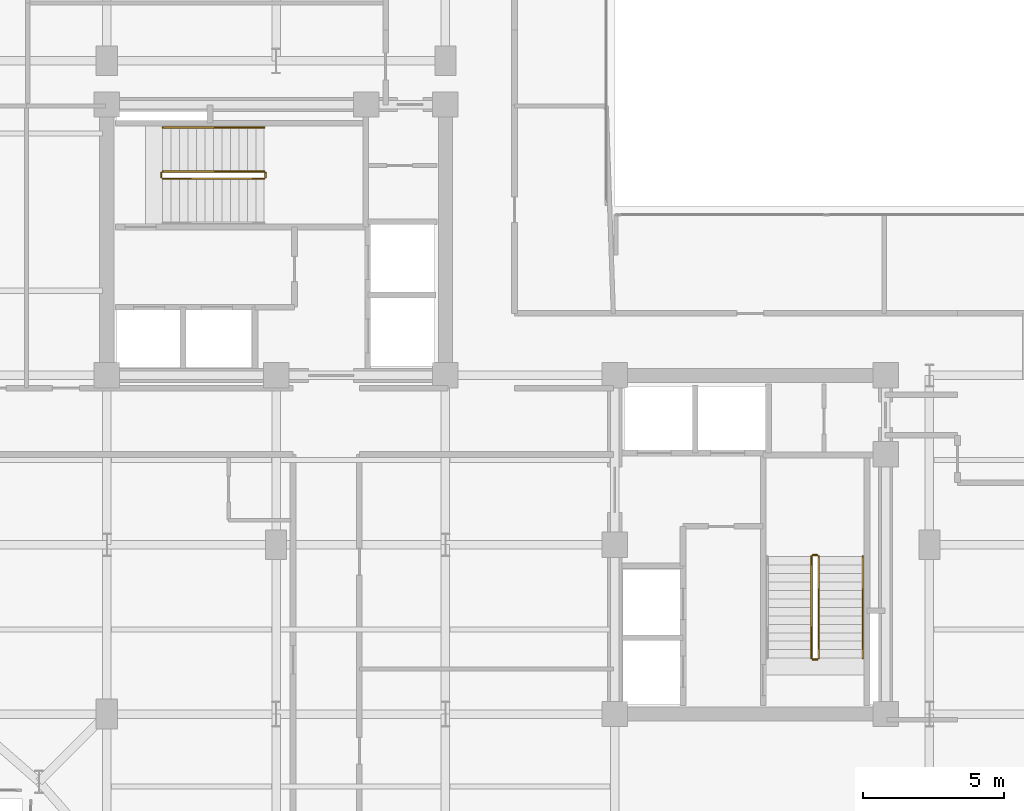
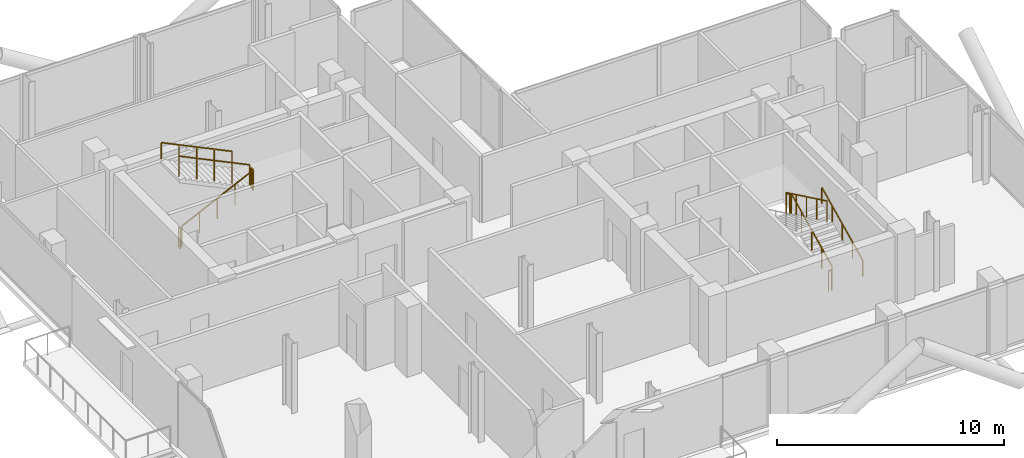
# One storey, part 21 of 21: 10 railings.
"""IFC4 building model written with IfcOpenShell, lengths in metres."""

from ifc_helpers import new_model, si_unit, direction, frame, origin, origin_2d, place, context, subcontext, project, spatial, rectangle, extrude, material, type_object, element, save


model = new_model("IFC4")

# Units and contexts
model_context = context("Model", 3, precision=1e-05, world=origin(), true_north=direction((0.0, 1.0)))
body_context = subcontext(model_context, "Body", "Model", "MODEL_VIEW")
ifc_project = project(units=[si_unit("LENGTHUNIT", "METRE"), si_unit("AREAUNIT", "SQUARE_METRE"), si_unit("VOLUMEUNIT", "CUBIC_METRE"), si_unit("PLANEANGLEUNIT", "RADIAN"), si_unit("MASSUNIT", "GRAM", prefix="KILO"), si_unit("THERMODYNAMICTEMPERATUREUNIT", "KELVIN"), si_unit("POWERUNIT", "WATT")], contexts=[model_context])

# Site, building, storey
site_placement = place(None, origin())
site = spatial("IfcSite", under=ifc_project, at=site_placement, CompositionType="ELEMENT")
building_placement = place(site_placement, origin())
building = spatial("IfcBuilding", under=site, at=building_placement, Name="Svarakhadi Broadcast Tower", CompositionType="ELEMENT")
storey_placement = place(building_placement, frame((0.0, 0.0, 223.64990234375)))
storey = spatial("IfcBuildingStorey", under=building, at=storey_placement, Name="L55", CompositionType="ELEMENT", Elevation=223.64990234375)

# Railings
ifc_material = material(Name="Anodised Bronze Aluminium AA 6063-T6", Category="aluminium")
railing_type_1 = type_object("IfcRailingType", Name="Guard_Stair_GR01", PredefinedType="GUARDRAIL", material=ifc_material)
railing_1_placement = place(storey_placement, frame((7.97998046875, 24.969970703125, 0.144287109375)))
element("IfcRailing", 1, at=railing_1_placement, inside=storey, type_object=railing_type_1, Name="L55 ST-01 stair guard 1", PredefinedType="GUARDRAIL", context=body_context, shape_type="SweptSolid", body=[
    extrude(rectangle(XDim=0.048095703125, YDim=0.048095703125, at=origin_2d()), frame((0.0, 0.0, 1.09619140625), z_axis=(0.901262522062, 0.0, 0.433273431364), x_axis=(0.0, 1.0, 0.0)), (0.0, 0.0, 1.0), 3.994384765625),
    extrude(rectangle(XDim=0.0419921875, YDim=0.0419921875, at=origin_2d()), origin(), (0.0, 0.0, 1.0), 1.072021484375),
    extrude(rectangle(XDim=0.0419921875, YDim=0.0419921875, at=origin_2d()), frame((0.89990234375, 0.0, 0.4326171875)), (0.0, 0.0, 1.0), 1.072021484375),
    extrude(rectangle(XDim=0.0419921875, YDim=0.0419921875, at=origin_2d()), frame((1.800048828125, 0.0, 0.865234375)), (0.0, 0.0, 1.0), 1.072021484375),
    extrude(rectangle(XDim=0.0419921875, YDim=0.0419921875, at=origin_2d()), frame((2.7001953125, 0.0, 1.298095703125)), (0.0, 0.0, 1.0), 1.072021484375),
    extrude(rectangle(XDim=0.0419921875, YDim=0.0419921875, at=origin_2d()), frame((3.60009765625, 0.0, 1.730712890625)), (0.0, 0.0, 1.0), 1.072021484375),
])
railing_2_placement = place(storey_placement, frame((11.6298828125, 25.02001953125, 1.875)))
element("IfcRailing", 2, at=railing_2_placement, inside=storey, type_object=railing_type_1, Name="L55 ST-01 stair guard 2", PredefinedType="GUARDRAIL", context=body_context, shape_type="SweptSolid", body=[
    extrude(rectangle(XDim=0.048095703125, YDim=0.048095703125, at=origin_2d()), frame((0.0, 0.0, 1.09619140625), z_axis=(0.0, 1.0, 0.0), x_axis=(-1.0, 0.0, 0.0)), (0.0, 0.0, 1.0), 0.159912109375),
    extrude(rectangle(XDim=0.0419921875, YDim=0.0419921875, at=origin_2d()), origin(), (0.0, 0.0, 1.0), 1.072021484375),
    extrude(rectangle(XDim=0.0419921875, YDim=0.0419921875, at=origin_2d()), frame((0.0, 0.159912109375, 0.0)), (0.0, 0.0, 1.0), 1.072021484375),
])
railing_3_placement = place(storey_placement, frame((11.580078125, 25.22998046875, 2.019287109375)))
element("IfcRailing", 3, at=railing_3_placement, inside=storey, type_object=railing_type_1, Name="L55 ST-01 stair guard 3", PredefinedType="GUARDRAIL", context=body_context, shape_type="SweptSolid", body=[
    extrude(rectangle(XDim=0.048095703125, YDim=0.048095703125, at=origin_2d()), frame((0.0, 0.0, 1.09619140625), z_axis=(-0.901262522062, 0.0, 0.433273431364), x_axis=(0.0, -1.0, 0.0)), (0.0, 0.0, 1.0), 3.994384765625),
    extrude(rectangle(XDim=0.0419921875, YDim=0.0419921875, at=origin_2d()), origin(), (0.0, 0.0, 1.0), 1.072021484375),
    extrude(rectangle(XDim=0.0419921875, YDim=0.0419921875, at=origin_2d()), frame((-0.89990234375, 0.0, 0.4326171875)), (0.0, 0.0, 1.0), 1.072021484375),
    extrude(rectangle(XDim=0.0419921875, YDim=0.0419921875, at=origin_2d()), frame((-1.800048828125, 0.0, 0.865234375)), (0.0, 0.0, 1.0), 1.072021484375),
    extrude(rectangle(XDim=0.0419921875, YDim=0.0419921875, at=origin_2d()), frame((-2.7001953125, 0.0, 1.298095703125)), (0.0, 0.0, 1.0), 1.072021484375),
    extrude(rectangle(XDim=0.0419921875, YDim=0.0419921875, at=origin_2d()), frame((-3.60009765625, 0.0, 1.730712890625)), (0.0, 0.0, 1.0), 1.072021484375),
])
railing_4_placement = place(storey_placement, frame((7.929931640625, 25.02001953125, 0.0)))
element("IfcRailing", 4, at=railing_4_placement, inside=storey, type_object=railing_type_1, Name="L55 ST-01 stair guard 4", PredefinedType="GUARDRAIL", context=body_context, shape_type="SweptSolid", body=[
    extrude(rectangle(XDim=0.048095703125, YDim=0.048095703125, at=origin_2d()), frame((0.0, 0.0, 1.09619140625), z_axis=(0.0, 1.0, 0.0), x_axis=(-1.0, 0.0, 0.0)), (0.0, 0.0, 1.0), 0.159912109375),
    extrude(rectangle(XDim=0.0419921875, YDim=0.0419921875, at=origin_2d()), origin(), (0.0, 0.0, 1.0), 1.072021484375),
    extrude(rectangle(XDim=0.0419921875, YDim=0.0419921875, at=origin_2d()), frame((0.0, 0.159912109375, 0.0)), (0.0, 0.0, 1.0), 1.072021484375),
])
railing_5_placement = place(storey_placement, frame((31.22998046875, 7.97998046875, 0.144287109375)))
element("IfcRailing", 5, at=railing_5_placement, inside=storey, type_object=railing_type_1, Name="L55 ST-02 stair guard 1", PredefinedType="GUARDRAIL", context=body_context, shape_type="SweptSolid", body=[
    extrude(rectangle(XDim=0.048095703125, YDim=0.048095703125, at=origin_2d()), frame((0.0, 0.0, 1.09619140625), z_axis=(0.0, 0.901262522062, 0.433273431364), x_axis=(-1.0, 0.0, 0.0)), (0.0, 0.0, 1.0), 3.994384765625),
    extrude(rectangle(XDim=0.0419921875, YDim=0.0419921875, at=origin_2d()), origin(), (0.0, 0.0, 1.0), 1.072021484375),
    extrude(rectangle(XDim=0.0419921875, YDim=0.0419921875, at=origin_2d()), frame((0.0, 0.89990234375, 0.4326171875)), (0.0, 0.0, 1.0), 1.072021484375),
    extrude(rectangle(XDim=0.0419921875, YDim=0.0419921875, at=origin_2d()), frame((0.0, 1.800048828125, 0.865234375)), (0.0, 0.0, 1.0), 1.072021484375),
    extrude(rectangle(XDim=0.0419921875, YDim=0.0419921875, at=origin_2d()), frame((0.0, 2.7001953125, 1.298095703125)), (0.0, 0.0, 1.0), 1.072021484375),
    extrude(rectangle(XDim=0.0419921875, YDim=0.0419921875, at=origin_2d()), frame((0.0, 3.60009765625, 1.730712890625)), (0.0, 0.0, 1.0), 1.072021484375),
])
railing_6_placement = place(storey_placement, frame((31.179931640625, 11.6298828125, 1.875)))
element("IfcRailing", 6, at=railing_6_placement, inside=storey, type_object=railing_type_1, Name="L55 ST-02 stair guard 2", PredefinedType="GUARDRAIL", context=body_context, shape_type="SweptSolid", body=[
    extrude(rectangle(XDim=0.048095703125, YDim=0.048095703125, at=origin_2d()), frame((0.0, 0.0, 1.09619140625), z_axis=(-1.0, 0.0, 0.0), x_axis=(0.0, -1.0, 0.0)), (0.0, 0.0, 1.0), 0.159912109375),
    extrude(rectangle(XDim=0.0419921875, YDim=0.0419921875, at=origin_2d()), origin(), (0.0, 0.0, 1.0), 1.072021484375),
    extrude(rectangle(XDim=0.0419921875, YDim=0.0419921875, at=origin_2d()), frame((-0.159912109375, 0.0, 0.0)), (0.0, 0.0, 1.0), 1.072021484375),
])
railing_7_placement = place(storey_placement, frame((30.969970703125, 11.580078125, 2.019287109375)))
element("IfcRailing", 7, at=railing_7_placement, inside=storey, type_object=railing_type_1, Name="L55 ST-02 stair guard 3", PredefinedType="GUARDRAIL", context=body_context, shape_type="SweptSolid", body=[
    extrude(rectangle(XDim=0.048095703125, YDim=0.048095703125, at=origin_2d()), frame((0.0, 0.0, 1.09619140625), z_axis=(0.0, -0.901262522062, 0.433273431364), x_axis=(1.0, 0.0, 0.0)), (0.0, 0.0, 1.0), 3.994384765625),
    extrude(rectangle(XDim=0.0419921875, YDim=0.0419921875, at=origin_2d()), origin(), (0.0, 0.0, 1.0), 1.072021484375),
    extrude(rectangle(XDim=0.0419921875, YDim=0.0419921875, at=origin_2d()), frame((0.0, -0.89990234375, 0.4326171875)), (0.0, 0.0, 1.0), 1.072021484375),
    extrude(rectangle(XDim=0.0419921875, YDim=0.0419921875, at=origin_2d()), frame((0.0, -1.800048828125, 0.865234375)), (0.0, 0.0, 1.0), 1.072021484375),
    extrude(rectangle(XDim=0.0419921875, YDim=0.0419921875, at=origin_2d()), frame((0.0, -2.7001953125, 1.298095703125)), (0.0, 0.0, 1.0), 1.072021484375),
    extrude(rectangle(XDim=0.0419921875, YDim=0.0419921875, at=origin_2d()), frame((0.0, -3.60009765625, 1.730712890625)), (0.0, 0.0, 1.0), 1.072021484375),
])
railing_8_placement = place(storey_placement, frame((31.179931640625, 7.929931640625, 0.0)))
element("IfcRailing", 8, at=railing_8_placement, inside=storey, type_object=railing_type_1, Name="L55 ST-02 stair guard 4", PredefinedType="GUARDRAIL", context=body_context, shape_type="SweptSolid", body=[
    extrude(rectangle(XDim=0.048095703125, YDim=0.048095703125, at=origin_2d()), frame((0.0, 0.0, 1.09619140625), z_axis=(-1.0, 0.0, 0.0), x_axis=(0.0, -1.0, 0.0)), (0.0, 0.0, 1.0), 0.159912109375),
    extrude(rectangle(XDim=0.0419921875, YDim=0.0419921875, at=origin_2d()), origin(), (0.0, 0.0, 1.0), 1.072021484375),
    extrude(rectangle(XDim=0.0419921875, YDim=0.0419921875, at=origin_2d()), frame((-0.159912109375, 0.0, 0.0)), (0.0, 0.0, 1.0), 1.072021484375),
])
railing_type_2 = type_object("IfcRailingType", Name="Handrail_Stair_HR01", PredefinedType="HANDRAIL", material=ifc_material)
railing_9_placement = place(storey_placement, frame((11.580078125, 26.7900390625, 2.019287109375)))
element("IfcRailing", 9, at=railing_9_placement, inside=storey, type_object=railing_type_2, Name="L55 ST-01 stair handrail 2", PredefinedType="HANDRAIL", context=body_context, shape_type="SweptSolid", body=[
    extrude(rectangle(XDim=0.048095703125, YDim=0.048095703125, at=origin_2d()), frame((0.0, 0.0, 0.8759765625), z_axis=(-0.901262522062, 0.0, 0.433273431364), x_axis=(0.0, -1.0, 0.0)), (0.0, 0.0, 1.0), 3.994384765625),
    extrude(rectangle(XDim=0.0419921875, YDim=0.0419921875, at=origin_2d()), origin(), (0.0, 0.0, 1.0), 0.851806640625),
    extrude(rectangle(XDim=0.0419921875, YDim=0.0419921875, at=origin_2d()), frame((-0.89990234375, 0.0, 0.4326171875)), (0.0, 0.0, 1.0), 0.851806640625),
    extrude(rectangle(XDim=0.0419921875, YDim=0.0419921875, at=origin_2d()), frame((-1.800048828125, 0.0, 0.865234375)), (0.0, 0.0, 1.0), 0.851806640625),
    extrude(rectangle(XDim=0.0419921875, YDim=0.0419921875, at=origin_2d()), frame((-2.7001953125, 0.0, 1.298095703125)), (0.0, 0.0, 1.0), 0.851806640625),
    extrude(rectangle(XDim=0.0419921875, YDim=0.0419921875, at=origin_2d()), frame((-3.60009765625, 0.0, 1.730712890625)), (0.0, 0.0, 1.0), 0.851806640625),
])
railing_10_placement = place(storey_placement, frame((32.7900390625, 7.97998046875, 0.144287109375)))
element("IfcRailing", 10, at=railing_10_placement, inside=storey, type_object=railing_type_2, Name="L55 ST-02 stair handrail 1", PredefinedType="HANDRAIL", context=body_context, shape_type="SweptSolid", body=[
    extrude(rectangle(XDim=0.048095703125, YDim=0.048095703125, at=origin_2d()), frame((0.0, 0.0, 0.8759765625), z_axis=(0.0, 0.901262522062, 0.433273431364), x_axis=(-1.0, 0.0, 0.0)), (0.0, 0.0, 1.0), 3.994384765625),
    extrude(rectangle(XDim=0.0419921875, YDim=0.0419921875, at=origin_2d()), origin(), (0.0, 0.0, 1.0), 0.851806640625),
    extrude(rectangle(XDim=0.0419921875, YDim=0.0419921875, at=origin_2d()), frame((0.0, 0.89990234375, 0.4326171875)), (0.0, 0.0, 1.0), 0.851806640625),
    extrude(rectangle(XDim=0.0419921875, YDim=0.0419921875, at=origin_2d()), frame((0.0, 1.800048828125, 0.865234375)), (0.0, 0.0, 1.0), 0.851806640625),
    extrude(rectangle(XDim=0.0419921875, YDim=0.0419921875, at=origin_2d()), frame((0.0, 2.7001953125, 1.298095703125)), (0.0, 0.0, 1.0), 0.851806640625),
    extrude(rectangle(XDim=0.0419921875, YDim=0.0419921875, at=origin_2d()), frame((0.0, 3.60009765625, 1.730712890625)), (0.0, 0.0, 1.0), 0.851806640625),
])

save(model, "model.ifc")
